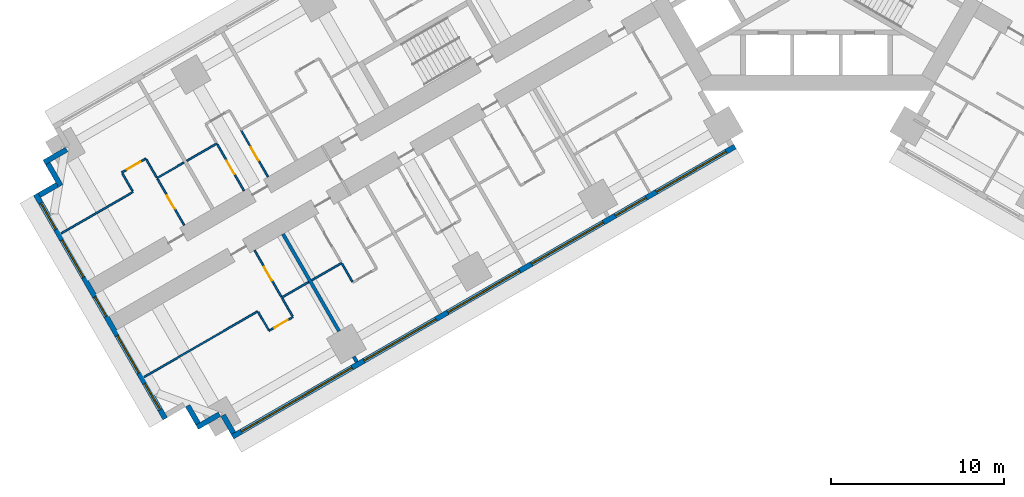
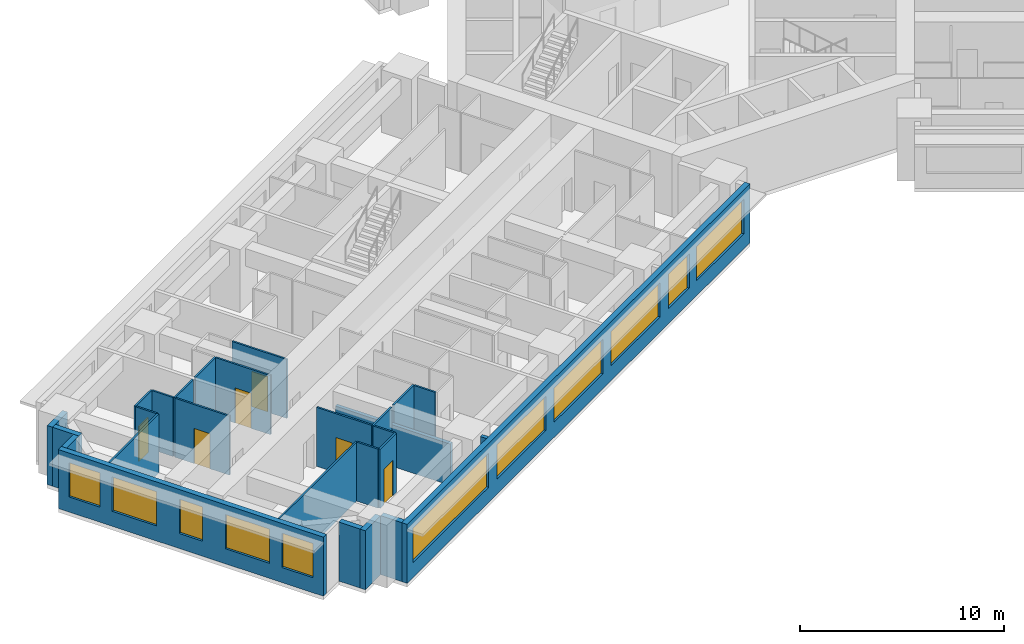
# One storey, part 3 of 16: 27 walls, 11 windows, 6 doors, 17 openings.
"""IFC4 building model written with IfcOpenShell, lengths in metres."""

import ifcopenshell
import ifcopenshell.guid

model = None  # the IFC model being written
_history = None  # IfcOwnerHistory: only IFC2X3 demands one
_inside = {}  # id of a spatial element -> (the spatial element, [elements in it])
_under = {}  # id of a project, library or spatial element -> (it, [spatial elements below it])
_declared = {}  # id of a project -> (the project, [libraries it declares])
_typed = {}  # id of a type object -> (the type object, [elements of that type])
_made_of = {}  # id of a material, layer set ... -> (it, [elements and type objects made of it])


def new_model(schema):
    """Start an empty IFC model of exactly this schema.

    Asked for "IFC4X3", IfcOpenShell would pick the latest addendum, in which some entities
    have other attributes; the version numbers below select the first issue.
    IFC2X3 requires an IfcOwnerHistory on every rooted entity: one is made here for all.
    """
    global model, _history
    if schema == "IFC4X3":
        model = ifcopenshell.file(schema_version=(4, 3, 0, 0))
    else:
        model = ifcopenshell.file(schema=schema)
    _inside.clear()
    _under.clear()
    _declared.clear()
    _typed.clear()
    _made_of.clear()
    _history = None
    if model.schema == "IFC2X3":
        org = make("IfcOrganization", Name="unknown")
        user = make(
            "IfcPersonAndOrganization",
            ThePerson=make("IfcPerson", FamilyName="unknown"),
            TheOrganization=org,
        )
        app = make(
            "IfcApplication",
            ApplicationDeveloper=org,
            Version="unknown",
            ApplicationFullName="unknown",
            ApplicationIdentifier="unknown",
        )
        _history = make(
            "IfcOwnerHistory",
            OwningUser=user,
            OwningApplication=app,
            ChangeAction="ADDED",
            CreationDate=0,
        )
    return model


def make(cls, **values):
    """One entity of the class cls with the attributes given. An attribute that is None is left unset."""
    return model.create_entity(
        cls, **{name: value for name, value in values.items() if value is not None}
    )


def rooted(cls, **values):
    """An entity with a GlobalId (a new one), such as an element, a storey or a relation."""
    return make(cls, GlobalId=ifcopenshell.guid.new(), OwnerHistory=_history, **values)


def si_unit(unit_type, name, prefix=None):
    """IfcSIUnit, for example si_unit("LENGTHUNIT", "METRE", prefix="MILLI")."""
    return make("IfcSIUnit", UnitType=unit_type, Prefix=prefix, Name=name)


def assignment(units):
    """IfcUnitAssignment: the units of a project."""
    return None if units is None else make("IfcUnitAssignment", Units=units)


def point(xyz):
    """IfcCartesianPoint."""
    return None if xyz is None else make("IfcCartesianPoint", Coordinates=xyz)


def direction(xyz):
    """IfcDirection."""
    return None if xyz is None else make("IfcDirection", DirectionRatios=xyz)


def frame(location, z_axis=None, x_axis=None):
    """IfcAxis2Placement3D, a coordinate frame: its origin and axes. An axis left out is left unset."""
    return make(
        "IfcAxis2Placement3D",
        Location=point(location),
        Axis=direction(z_axis),
        RefDirection=direction(x_axis),
    )


def frame_2d(location, x_axis=None):
    """IfcAxis2Placement2D, a coordinate frame in the plane: its origin and x axis."""
    return make(
        "IfcAxis2Placement2D", Location=point(location), RefDirection=direction(x_axis)
    )


def origin():
    """The frame at (0, 0, 0) with its axes left unset."""
    return frame((0.0, 0.0, 0.0))


def place(relative_to, where):
    """IfcLocalPlacement: puts the frame where relative to a parent placement (None: the world)."""
    return make(
        "IfcLocalPlacement", PlacementRelTo=relative_to, RelativePlacement=where
    )


def context(
    kind, dimensions, precision=None, world=None, true_north=None, identifier=None
):
    """IfcGeometricRepresentationContext, for example the 3D "Model" context."""
    return make(
        "IfcGeometricRepresentationContext",
        ContextIdentifier=identifier,
        ContextType=kind,
        CoordinateSpaceDimension=dimensions,
        Precision=precision,
        WorldCoordinateSystem=world,
        TrueNorth=true_north,
    )


def subcontext(parent, identifier, kind, view, scale=None):
    """IfcGeometricRepresentationSubContext, for example "Body" below "Model"."""
    return make(
        "IfcGeometricRepresentationSubContext",
        ContextIdentifier=identifier,
        ContextType=kind,
        ParentContext=parent,
        TargetScale=scale,
        TargetView=view,
    )


def project(units=None, contexts=None):
    """IfcProject with its units and contexts."""
    return rooted(
        "IfcProject",
        Name="project",
        RepresentationContexts=contexts,
        UnitsInContext=assignment(units),
    )


def spatial(cls, under=None, at=None, **own):
    """A site, building, storey or space (cls), placed at a placement, below another one or the project."""
    s = rooted(cls, ObjectPlacement=at, **own)
    if under is not None:
        _under.setdefault(under.id(), (under, []))[1].append(s)
    return s


def profile(cls, at=None, kind="AREA", **sizes):
    """A parametric profile (cls). Its sizes go by their IFC names, for example OverallWidth=200.0."""
    return make(cls, ProfileType=kind, Position=at, **sizes)


def rectangle(**sizes):
    """IfcRectangleProfileDef."""
    return profile("IfcRectangleProfileDef", **sizes)


def extrude(swept, where, along, depth):
    """IfcExtrudedAreaSolid: the profile swept, set in the frame where, extruded along a direction by depth."""
    return make(
        "IfcExtrudedAreaSolid",
        SweptArea=swept,
        Position=where,
        ExtrudedDirection=direction(along),
        Depth=depth,
    )


def shape(context_of_items, identifier, shape_type, items):
    """IfcShapeRepresentation: the items that make up one representation, for example the "Body"."""
    return make(
        "IfcShapeRepresentation",
        ContextOfItems=context_of_items,
        RepresentationIdentifier=identifier,
        RepresentationType=shape_type,
        Items=items,
    )


def material(Name=None, Category=None):
    """IfcMaterial."""
    return make("IfcMaterial", Name=Name, Category=Category)


def layer(
    of_material, thickness, ventilated=None, Name=None, Category=None, Priority=None
):
    """IfcMaterialLayer: one layer of a wall or slab, of a material (None: an air gap)."""
    return make(
        "IfcMaterialLayer",
        Material=of_material,
        LayerThickness=thickness,
        IsVentilated=ventilated,
        Name=Name,
        Category=Category,
        Priority=Priority,
    )


def layer_set(layers, Name=None):
    """IfcMaterialLayerSet."""
    return make("IfcMaterialLayerSet", MaterialLayers=layers, LayerSetName=Name)


def made_of(thing, what):
    """Note that an element or type object is made of a material, layer set ...; save() writes the relation."""
    if what is not None:
        _made_of.setdefault(what.id(), (what, []))[1].append(thing)
    return thing


def type_object(cls, material=None, **own):
    """A type object (cls), such as IfcWallType, which elements share."""
    return made_of(rooted(cls, **own), material)


def element(
    cls,
    number,
    at=None,
    inside=None,
    cuts=None,
    type_object=None,
    material=None,
    context=None,
    identifier="Body",
    shape_type=None,
    held_by="IfcProductDefinitionShape",
    body=None,
    shapes=None,
    **own,
):
    """One element of the class cls, such as IfcWall. Its Tag is "e" and its number.

    at: its placement. inside: the storey or other place that contains it. cuts: it is an
    opening in that element (IfcRelVoidsElement). A single representation is given by context,
    identifier, shape_type and body (its items); several are given by shapes. held_by: the class
    of the entity that holds the representations. save() writes the other relations.
    """
    e = rooted(cls, Tag="e%d" % number, ObjectPlacement=at, **own)
    if body is not None:
        shapes = [shape(context, identifier, shape_type, body)]
    if shapes is not None:
        e.Representation = make(held_by, Representations=shapes)
    if inside is not None:
        _inside.setdefault(inside.id(), (inside, []))[1].append(e)
    if cuts is not None:
        rooted(
            "IfcRelVoidsElement", RelatingBuildingElement=cuts, RelatedOpeningElement=e
        )
    if type_object is not None:
        _typed.setdefault(type_object.id(), (type_object, []))[1].append(e)
    return made_of(e, material)


def fill(opening, filler):
    """IfcRelFillsElement: the door or window that sits in an opening."""
    return rooted(
        "IfcRelFillsElement",
        RelatingOpeningElement=opening,
        RelatedBuildingElement=filler,
    )


def aggregate(whole, parts):
    """IfcRelAggregates: a whole, such as a stair, and the parts it consists of."""
    return rooted("IfcRelAggregates", RelatingObject=whole, RelatedObjects=parts)


def save(model, path):
    """Write the relations noted so far, then the file.

    IfcRelAggregates (storeys below a building ...), IfcRelContainedInSpatialStructure (elements
    in a storey), IfcRelDefinesByType, IfcRelAssociatesMaterial and IfcRelDeclares: one each for
    every whole, place, type object, material and project.
    """
    for whole, parts in _under.values():
        aggregate(whole, parts)
    for where, things in _inside.values():
        rooted(
            "IfcRelContainedInSpatialStructure",
            RelatedElements=things,
            RelatingStructure=where,
        )
    for kind, things in _typed.values():
        rooted("IfcRelDefinesByType", RelatedObjects=things, RelatingType=kind)
    for what, things in _made_of.values():
        rooted("IfcRelAssociatesMaterial", RelatedObjects=things, RelatingMaterial=what)
    for by, libraries in _declared.values():
        rooted("IfcRelDeclares", RelatingContext=by, RelatedDefinitions=libraries)
    model.write(path)


model = new_model("IFC4")

# Units and contexts
model_context = context("Model", 3, precision=1e-05, world=origin(), true_north=direction((0.0, 1.0)))
body_context = subcontext(model_context, "Body", "Model", "MODEL_VIEW")
ifc_project = project(units=[si_unit("LENGTHUNIT", "METRE"), si_unit("AREAUNIT", "SQUARE_METRE"), si_unit("VOLUMEUNIT", "CUBIC_METRE"), si_unit("PLANEANGLEUNIT", "RADIAN"), si_unit("MASSUNIT", "GRAM", prefix="KILO")], contexts=[model_context])

# Site, building, storey
site_placement = place(None, origin())
site = spatial("IfcSite", under=ifc_project, at=site_placement, CompositionType="ELEMENT")
building_placement = place(site_placement, origin())
building = spatial("IfcBuilding", under=site, at=building_placement, Name="Impinga Residences", CompositionType="ELEMENT")
storey_placement = place(building_placement, frame((0.0, 0.0, 44.75)))
storey = spatial("IfcBuildingStorey", under=building, at=storey_placement, Name="L10", CompositionType="ELEMENT", Elevation=44.75)

# Walls
ifc_material_1 = material(Name="Terracotta rainscreen on blockwork", Category="masonry")
ifc_layer_1 = layer(ifc_material_1, 0.300048828125)
ifc_layer_set_1 = layer_set([ifc_layer_1], Name="EW1 external wall, terracotta rainscreen on blockwork 300")
wall_type_1 = type_object("IfcWallType", Name="EW1 external wall, terracotta rainscreen on blockwork 300", PredefinedType="SOLIDWALL", material=ifc_layer_set_1)
wall_1_placement = place(storey_placement, frame((-33.7685546875, -31.274169921875, 0.0), z_axis=(0.0, 0.0, 1.0), x_axis=(-0.499940577336, 0.866059708757, 0.0)))
element("IfcWall", 1, at=wall_1_placement, inside=storey, type_object=wall_type_1, Name="External wall EW1 L10", PredefinedType="SOLIDWALL", context=body_context, shape_type="SweptSolid", body=[
    extrude(rectangle(XDim=1.195068359375, YDim=0.300048828125, at=frame_2d((0.59765625, 0.0))), origin(), (0.0, 0.0, 1.0), 3.530029296875),
])
wall_2_placement = place(storey_placement, frame((-34.573486328125, -30.18017578125, 0.0), z_axis=(0.0, 0.0, 1.0), x_axis=(-0.866031096941, -0.499990139034, 0.0)))
element("IfcWall", 2, at=wall_2_placement, inside=storey, type_object=wall_type_1, Name="External wall EW1 L10", PredefinedType="SOLIDWALL", context=body_context, shape_type="SweptSolid", body=[
    extrude(rectangle(XDim=1.5, YDim=0.300048828125, at=frame_2d((0.75, 0.0))), origin(), (0.0, 0.0, 1.0), 3.530029296875),
])
wall_3_placement = place(storey_placement, frame((-35.817626953125, -30.72509765625, 0.0), z_axis=(0.0, 0.0, 1.0), x_axis=(-0.499969057507, 0.866043267704, 0.0)))
element("IfcWall", 3, at=wall_3_placement, inside=storey, type_object=wall_type_1, Name="External wall EW1 L10", PredefinedType="SOLIDWALL", context=body_context, shape_type="SweptSolid", body=[
    extrude(rectangle(XDim=1.19970703125, YDim=0.300048828125, at=frame_2d((0.599853515625, 0.0))), origin(), (0.0, 0.0, 1.0), 3.530029296875),
])

# Wall, openings, windows
wall_4_placement = place(storey_placement, frame((-37.716552734375, -30.43603515625, 0.0), z_axis=(0.0, 0.0, 1.0), x_axis=(-0.499997186618, 0.866027028085, 0.0)))
wall_4 = element("IfcWall", 4, at=wall_4_placement, inside=storey, type_object=wall_type_1, Name="External wall EW1 L10", PredefinedType="SOLIDWALL", context=body_context, shape_type="SweptSolid", body=[
    extrude(rectangle(XDim=15.0, YDim=0.300048828125, at=frame_2d((7.5, 0.0))), origin(), (0.0, 0.0, 1.0), 3.530029296875),
])
opening_1_placement = place(wall_4_placement, frame((0.60009765625, 0.0, 0.89990234375)))
opening_1 = element("IfcOpeningElement", 5, at=opening_1_placement, cuts=wall_4, Name="Opening W1", PredefinedType="OPENING", context=body_context, shape_type="SweptSolid", body=[
    extrude(rectangle(XDim=1.75, YDim=2.050048828125, at=frame_2d((0.875, 1.02490234375))), frame((0.0, 0.159912109375, 0.0), z_axis=(0.0, -1.0, 0.0), x_axis=(1.0, 0.0, 0.0)), (0.0, 0.0, 1.0), 0.320068359375),
])
opening_2_placement = place(wall_4_placement, frame((3.050048828125, 0.0, 0.89990234375)))
opening_2 = element("IfcOpeningElement", 6, at=opening_2_placement, cuts=wall_4, Name="Opening W2", PredefinedType="OPENING", context=body_context, shape_type="SweptSolid", body=[
    extrude(rectangle(XDim=2.5, YDim=2.050048828125, at=frame_2d((1.25, 1.02490234375))), frame((0.0, 0.159912109375, 0.0), z_axis=(0.0, -1.0, 0.0), x_axis=(1.0, 0.0, 0.0)), (0.0, 0.0, 1.0), 0.320068359375),
])
opening_3_placement = place(wall_4_placement, frame((6.85009765625, 0.0, 0.89990234375)))
opening_3 = element("IfcOpeningElement", 7, at=opening_3_placement, cuts=wall_4, Name="Opening WE1", PredefinedType="OPENING", context=body_context, shape_type="SweptSolid", body=[
    extrude(rectangle(XDim=1.300048828125, YDim=2.050048828125, at=frame_2d((0.64990234375, 1.02490234375))), frame((0.0, 0.159912109375, 0.0), z_axis=(0.0, -1.0, 0.0), x_axis=(1.0, 0.0, 0.0)), (0.0, 0.0, 1.0), 0.320068359375),
])
opening_4_placement = place(wall_4_placement, frame((9.449951171875, 0.0, 0.89990234375)))
opening_4 = element("IfcOpeningElement", 8, at=opening_4_placement, cuts=wall_4, Name="Opening W2", PredefinedType="OPENING", context=body_context, shape_type="SweptSolid", body=[
    extrude(rectangle(XDim=2.5, YDim=2.050048828125, at=frame_2d((1.25, 1.02490234375))), frame((0.0, 0.159912109375, 0.0), z_axis=(0.0, -1.0, 0.0), x_axis=(1.0, 0.0, 0.0)), (0.0, 0.0, 1.0), 0.320068359375),
])
opening_5_placement = place(wall_4_placement, frame((12.64990234375, 0.0, 0.89990234375)))
opening_5 = element("IfcOpeningElement", 9, at=opening_5_placement, cuts=wall_4, Name="Opening W1", PredefinedType="OPENING", context=body_context, shape_type="SweptSolid", body=[
    extrude(rectangle(XDim=1.75, YDim=2.050048828125, at=frame_2d((0.875, 1.02490234375))), frame((0.0, 0.159912109375, 0.0), z_axis=(0.0, -1.0, 0.0), x_axis=(1.0, 0.0, 0.0)), (0.0, 0.0, 1.0), 0.320068359375),
])
ifc_material_2 = material(Name="Aluminium window, clear double glazing", Category="aluminium")
window_type_1 = type_object("IfcWindowType", Name="W1 ribbon window 1750x2050", PartitioningType="SINGLE_PANEL", PredefinedType="WINDOW", material=ifc_material_2)
window_1_placement = place(opening_1_placement, origin())
window_1 = element("IfcWindow", 10, at=window_1_placement, inside=storey, type_object=window_type_1, Name="Window L10", OverallHeight=2.050048828125, OverallWidth=1.75, PartitioningType="SINGLE_PANEL", PredefinedType="WINDOW", context=body_context, shape_type="SweptSolid", body=[
    extrude(rectangle(XDim=1.75, YDim=2.050048828125, at=frame_2d((0.875, 1.02490234375))), frame((0.0, 0.030029296875, 0.0), z_axis=(0.0, -1.0, 0.0), x_axis=(1.0, 0.0, 0.0)), (0.0, 0.0, 1.0), 0.06005859375),
])
fill(opening_1, window_1)
window_2_placement = place(opening_5_placement, origin())
window_2 = element("IfcWindow", 11, at=window_2_placement, inside=storey, type_object=window_type_1, Name="Window L10", OverallHeight=2.050048828125, OverallWidth=1.75, PartitioningType="SINGLE_PANEL", PredefinedType="WINDOW", context=body_context, shape_type="SweptSolid", body=[
    extrude(rectangle(XDim=1.75, YDim=2.050048828125, at=frame_2d((0.875, 1.02490234375))), frame((0.0, 0.030029296875, 0.0), z_axis=(0.0, -1.0, 0.0), x_axis=(1.0, 0.0, 0.0)), (0.0, 0.0, 1.0), 0.06005859375),
])
fill(opening_5, window_2)
window_type_2 = type_object("IfcWindowType", Name="W2 ribbon window 2500x2050", PartitioningType="SINGLE_PANEL", PredefinedType="WINDOW", material=ifc_material_2)
window_3_placement = place(opening_2_placement, origin())
window_3 = element("IfcWindow", 12, at=window_3_placement, inside=storey, type_object=window_type_2, Name="Window L10", OverallHeight=2.050048828125, OverallWidth=2.5, PartitioningType="SINGLE_PANEL", PredefinedType="WINDOW", context=body_context, shape_type="SweptSolid", body=[
    extrude(rectangle(XDim=2.5, YDim=2.050048828125, at=frame_2d((1.25, 1.02490234375))), frame((0.0, 0.030029296875, 0.0), z_axis=(0.0, -1.0, 0.0), x_axis=(1.0, 0.0, 0.0)), (0.0, 0.0, 1.0), 0.06005859375),
])
fill(opening_2, window_3)
window_4_placement = place(opening_4_placement, origin())
window_4 = element("IfcWindow", 13, at=window_4_placement, inside=storey, type_object=window_type_2, Name="Window L10", OverallHeight=2.050048828125, OverallWidth=2.5, PartitioningType="SINGLE_PANEL", PredefinedType="WINDOW", context=body_context, shape_type="SweptSolid", body=[
    extrude(rectangle(XDim=2.5, YDim=2.050048828125, at=frame_2d((1.25, 1.02490234375))), frame((0.0, 0.030029296875, 0.0), z_axis=(0.0, -1.0, 0.0), x_axis=(1.0, 0.0, 0.0)), (0.0, 0.0, 1.0), 0.06005859375),
])
fill(opening_4, window_4)
window_type_3 = type_object("IfcWindowType", Name="WE1 corridor window 1300x2050", PartitioningType="SINGLE_PANEL", PredefinedType="WINDOW", material=ifc_material_2)
window_5_placement = place(opening_3_placement, origin())
window_5 = element("IfcWindow", 14, at=window_5_placement, inside=storey, type_object=window_type_3, Name="Window L10", OverallHeight=2.050048828125, OverallWidth=1.300048828125, PartitioningType="SINGLE_PANEL", PredefinedType="WINDOW", context=body_context, shape_type="SweptSolid", body=[
    extrude(rectangle(XDim=1.300048828125, YDim=2.050048828125, at=frame_2d((0.64990234375, 1.02490234375))), frame((0.0, 0.030029296875, 0.0), z_axis=(0.0, -1.0, 0.0), x_axis=(1.0, 0.0, 0.0)), (0.0, 0.0, 1.0), 0.06005859375),
])
fill(opening_3, window_5)

# Walls
wall_5_placement = place(storey_placement, frame((-45.01171875, -17.50048828125, 0.0), z_axis=(0.0, 0.0, 1.0), x_axis=(0.866059708757, 0.499940577336, 0.0)))
element("IfcWall", 15, at=wall_5_placement, inside=storey, type_object=wall_type_1, Name="External wall EW1 L10", PredefinedType="SOLIDWALL", context=body_context, shape_type="SweptSolid", body=[
    extrude(rectangle(XDim=1.195068359375, YDim=0.300048828125, at=frame_2d((0.59765625, 0.0))), origin(), (0.0, 0.0, 1.0), 3.530029296875),
])
for number, where, z_axis, x_axis, name in (
    (16, (-43.767578125, -16.955322265625, 0.0), (0.0, 0.0, 1.0), (-0.499990139034, 0.866031096941, 0.0), "External wall EW1 L10"),
    (17, (-44.722412109375, -15.6015625, 0.0), (0.0, 0.0, 1.0), (0.866031096941, 0.499990139034, 0.0), "External wall EW1 L10"),
):
    element("IfcWall", number, at=place(storey_placement, frame(where, z_axis=z_axis, x_axis=x_axis)), inside=storey, type_object=wall_type_1, Name=name, PredefinedType="SOLIDWALL", context=body_context, shape_type="SweptSolid", body=[
        extrude(rectangle(XDim=1.5, YDim=0.300048828125, at=frame_2d((0.75, 0.0))), origin(), (0.0, 0.0, 1.0), 3.530029296875),
    ])

# Wall, openings, windows
wall_6_placement = place(storey_placement, frame((-4.72509765625, -14.67919921875, 0.0), z_axis=(0.0, 0.0, 1.0), x_axis=(-0.866024291668, -0.500001926238, 0.0)))
wall_6 = element("IfcWall", 18, at=wall_6_placement, inside=storey, type_object=wall_type_1, Name="External wall EW1 L10", PredefinedType="SOLIDWALL", context=body_context, shape_type="SweptSolid", body=[
    extrude(rectangle(XDim=33.599853515625, YDim=0.300048828125, at=frame_2d((16.7998046875, 0.0))), origin(), (0.0, 0.0, 1.0), 3.530029296875),
])
opening_6_placement = place(wall_6_placement, frame((0.60009765625, 0.0, 0.89990234375)))
opening_6 = element("IfcOpeningElement", 19, at=opening_6_placement, cuts=wall_6, Name="Opening W10", PredefinedType="OPENING", context=body_context, shape_type="SweptSolid", body=[
    extrude(rectangle(XDim=4.64990234375, YDim=2.050048828125, at=frame_2d((2.324951171875, 1.02490234375))), frame((0.0, 0.159912109375, 0.0), z_axis=(0.0, -1.0, 0.0), x_axis=(1.0, 0.0, 0.0)), (0.0, 0.0, 1.0), 0.320068359375),
])
opening_7_placement = place(wall_6_placement, frame((5.949951171875, 0.0, 0.89990234375)))
opening_7 = element("IfcOpeningElement", 20, at=opening_7_placement, cuts=wall_6, Name="Opening W14", PredefinedType="OPENING", context=body_context, shape_type="SweptSolid", body=[
    extrude(rectangle(XDim=2.050048828125, YDim=2.050048828125, at=frame_2d((1.02490234375, 1.02490234375))), frame((0.0, 0.159912109375, 0.0), z_axis=(0.0, -1.0, 0.0), x_axis=(1.0, 0.0, 0.0)), (0.0, 0.0, 1.0), 0.320068359375),
])
opening_8_placement = place(wall_6_placement, frame((8.800048828125, 0.0, 0.89990234375)))
opening_8 = element("IfcOpeningElement", 21, at=opening_8_placement, cuts=wall_6, Name="Opening W8", PredefinedType="OPENING", context=body_context, shape_type="SweptSolid", body=[
    extrude(rectangle(XDim=4.800048828125, YDim=2.050048828125, at=frame_2d((2.39990234375, 1.02490234375))), frame((0.0, 0.159912109375, 0.0), z_axis=(0.0, -1.0, 0.0), x_axis=(1.0, 0.0, 0.0)), (0.0, 0.0, 1.0), 0.320068359375),
])
opening_9_placement = place(wall_6_placement, frame((14.39990234375, 0.0, 0.89990234375)))
opening_9 = element("IfcOpeningElement", 22, at=opening_9_placement, cuts=wall_6, Name="Opening W8", PredefinedType="OPENING", context=body_context, shape_type="SweptSolid", body=[
    extrude(rectangle(XDim=4.800048828125, YDim=2.050048828125, at=frame_2d((2.39990234375, 1.02490234375))), frame((0.0, 0.159912109375, 0.0), z_axis=(0.0, -1.0, 0.0), x_axis=(1.0, 0.0, 0.0)), (0.0, 0.0, 1.0), 0.320068359375),
])
opening_10_placement = place(wall_6_placement, frame((20.0, 0.0, 0.89990234375)))
opening_10 = element("IfcOpeningElement", 23, at=opening_10_placement, cuts=wall_6, Name="Opening W8", PredefinedType="OPENING", context=body_context, shape_type="SweptSolid", body=[
    extrude(rectangle(XDim=4.800048828125, YDim=2.050048828125, at=frame_2d((2.39990234375, 1.02490234375))), frame((0.0, 0.159912109375, 0.0), z_axis=(0.0, -1.0, 0.0), x_axis=(1.0, 0.0, 0.0)), (0.0, 0.0, 1.0), 0.320068359375),
])
opening_11_placement = place(wall_6_placement, frame((25.60009765625, 0.0, 0.89990234375)))
opening_11 = element("IfcOpeningElement", 24, at=opening_11_placement, cuts=wall_6, Name="Opening W12", PredefinedType="OPENING", context=body_context, shape_type="SweptSolid", body=[
    extrude(rectangle(XDim=7.39990234375, YDim=2.050048828125, at=frame_2d((3.699951171875, 1.02490234375))), frame((0.0, 0.159912109375, 0.0), z_axis=(0.0, -1.0, 0.0), x_axis=(1.0, 0.0, 0.0)), (0.0, 0.0, 1.0), 0.320068359375),
])
window_type_4 = type_object("IfcWindowType", Name="W10 ribbon window 4650x2050", PartitioningType="SINGLE_PANEL", PredefinedType="WINDOW", material=ifc_material_2)
window_6_placement = place(opening_6_placement, origin())
window_6 = element("IfcWindow", 25, at=window_6_placement, inside=storey, type_object=window_type_4, Name="Window L10", OverallHeight=2.050048828125, OverallWidth=4.64990234375, PartitioningType="SINGLE_PANEL", PredefinedType="WINDOW", context=body_context, shape_type="SweptSolid", body=[
    extrude(rectangle(XDim=4.64990234375, YDim=2.050048828125, at=frame_2d((2.324951171875, 1.02490234375))), frame((0.0, 0.030029296875, 0.0), z_axis=(0.0, -1.0, 0.0), x_axis=(1.0, 0.0, 0.0)), (0.0, 0.0, 1.0), 0.06005859375),
])
fill(opening_6, window_6)
window_type_5 = type_object("IfcWindowType", Name="W12 ribbon window 7400x2050", PartitioningType="SINGLE_PANEL", PredefinedType="WINDOW", material=ifc_material_2)
window_7_placement = place(opening_11_placement, origin())
window_7 = element("IfcWindow", 26, at=window_7_placement, inside=storey, type_object=window_type_5, Name="Window L10", OverallHeight=2.050048828125, OverallWidth=7.39990234375, PartitioningType="SINGLE_PANEL", PredefinedType="WINDOW", context=body_context, shape_type="SweptSolid", body=[
    extrude(rectangle(XDim=7.39990234375, YDim=2.050048828125, at=frame_2d((3.699951171875, 1.02490234375))), frame((0.0, 0.030029296875, 0.0), z_axis=(0.0, -1.0, 0.0), x_axis=(1.0, 0.0, 0.0)), (0.0, 0.0, 1.0), 0.06005859375),
])
fill(opening_11, window_7)
window_type_6 = type_object("IfcWindowType", Name="W14 ribbon window 2050x2050", PartitioningType="SINGLE_PANEL", PredefinedType="WINDOW", material=ifc_material_2)
window_8_placement = place(opening_7_placement, origin())
window_8 = element("IfcWindow", 27, at=window_8_placement, inside=storey, type_object=window_type_6, Name="Window L10", OverallHeight=2.050048828125, OverallWidth=2.050048828125, PartitioningType="SINGLE_PANEL", PredefinedType="WINDOW", context=body_context, shape_type="SweptSolid", body=[
    extrude(rectangle(XDim=2.050048828125, YDim=2.050048828125, at=frame_2d((1.02490234375, 1.02490234375))), frame((0.0, 0.030029296875, 0.0), z_axis=(0.0, -1.0, 0.0), x_axis=(1.0, 0.0, 0.0)), (0.0, 0.0, 1.0), 0.06005859375),
])
fill(opening_7, window_8)
window_type_7 = type_object("IfcWindowType", Name="W8 ribbon window 4800x2050", PartitioningType="SINGLE_PANEL", PredefinedType="WINDOW", material=ifc_material_2)
window_9_placement = place(opening_8_placement, origin())
window_9 = element("IfcWindow", 28, at=window_9_placement, inside=storey, type_object=window_type_7, Name="Window L10", OverallHeight=2.050048828125, OverallWidth=4.800048828125, PartitioningType="SINGLE_PANEL", PredefinedType="WINDOW", context=body_context, shape_type="SweptSolid", body=[
    extrude(rectangle(XDim=4.800048828125, YDim=2.050048828125, at=frame_2d((2.39990234375, 1.02490234375))), frame((0.0, 0.030029296875, 0.0), z_axis=(0.0, -1.0, 0.0), x_axis=(1.0, 0.0, 0.0)), (0.0, 0.0, 1.0), 0.06005859375),
])
fill(opening_8, window_9)
window_10_placement = place(opening_9_placement, origin())
window_10 = element("IfcWindow", 29, at=window_10_placement, inside=storey, type_object=window_type_7, Name="Window L10", OverallHeight=2.050048828125, OverallWidth=4.800048828125, PartitioningType="SINGLE_PANEL", PredefinedType="WINDOW", context=body_context, shape_type="SweptSolid", body=[
    extrude(rectangle(XDim=4.800048828125, YDim=2.050048828125, at=frame_2d((2.39990234375, 1.02490234375))), frame((0.0, 0.030029296875, 0.0), z_axis=(0.0, -1.0, 0.0), x_axis=(1.0, 0.0, 0.0)), (0.0, 0.0, 1.0), 0.06005859375),
])
fill(opening_9, window_10)
window_11_placement = place(opening_10_placement, origin())
window_11 = element("IfcWindow", 30, at=window_11_placement, inside=storey, type_object=window_type_7, Name="Window L10", OverallHeight=2.050048828125, OverallWidth=4.800048828125, PartitioningType="SINGLE_PANEL", PredefinedType="WINDOW", context=body_context, shape_type="SweptSolid", body=[
    extrude(rectangle(XDim=4.800048828125, YDim=2.050048828125, at=frame_2d((2.39990234375, 1.02490234375))), frame((0.0, 0.030029296875, 0.0), z_axis=(0.0, -1.0, 0.0), x_axis=(1.0, 0.0, 0.0)), (0.0, 0.0, 1.0), 0.06005859375),
])
fill(opening_10, window_11)

# Walls
ifc_material_3 = material(Name="Gypsum board on steel studs", Category="steel")
ifc_layer_2 = layer(ifc_material_3, 0.10009765625)
ifc_layer_set_2 = layer_set([ifc_layer_2], Name="Gypsum board on steel studs")
wall_type_2 = type_object("IfcWallType", Name="IP1 partition 100", PredefinedType="PARTITIONING", material=ifc_layer_set_2)
wall_7_placement = place(storey_placement, frame((-27.505126953125, -21.422607421875, 0.0), z_axis=(0.0, 0.0, 1.0), x_axis=(-0.866041268327, -0.499972520799, 0.0)))
element("IfcWall", 31, at=wall_7_placement, inside=storey, type_object=wall_type_2, Name="Partition L10-WA4:DIV1", PredefinedType="PARTITIONING", context=body_context, shape_type="SweptSolid", body=[
    extrude(rectangle(XDim=2.0, YDim=0.10009765625, at=frame_2d((1.0, 0.0))), origin(), (0.0, 0.0, 1.0), 3.530029296875),
])
wall_8_placement = place(storey_placement, frame((-27.480224609375, -21.466064453125, 0.0), z_axis=(0.0, 0.0, 1.0), x_axis=(0.50012165622, -0.865955154139, 0.0)))
element("IfcWall", 32, at=wall_8_placement, inside=storey, type_object=wall_type_2, Name="Partition L10-WA4:SE1", PredefinedType="PARTITIONING", context=body_context, shape_type="SweptSolid", body=[
    extrude(rectangle(XDim=1.199951171875, YDim=0.10009765625, at=frame_2d((0.60009765625, 0.0))), origin(), (0.0, 0.0, 1.0), 3.530029296875),
])
wall_9_placement = place(storey_placement, frame((-29.410400390625, -22.522705078125, 0.0), z_axis=(0.0, 0.0, 1.0), x_axis=(-0.866047807691, -0.499961193289, 0.0)))
element("IfcWall", 33, at=wall_9_placement, inside=storey, type_object=wall_type_2, Name="Partition L10-WA5:DIV0", PredefinedType="PARTITIONING", context=body_context, shape_type="SweptSolid", body=[
    extrude(rectangle(XDim=1.800048828125, YDim=0.10009765625, at=frame_2d((0.89990234375, 0.0))), origin(), (0.0, 0.0, 1.0), 3.530029296875),
])
wall_10_placement = place(storey_placement, frame((-32.35498046875, -24.22265625, 0.0), z_axis=(0.0, 0.0, 1.0), x_axis=(-0.866022425744, -0.500005158081, 0.0)))
element("IfcWall", 34, at=wall_10_placement, inside=storey, type_object=wall_type_2, Name="Partition L10-WA5:DIV1", PredefinedType="PARTITIONING", context=body_context, shape_type="SweptSolid", body=[
    extrude(rectangle(XDim=7.60009765625, YDim=0.10009765625, at=frame_2d((3.800048828125, 0.0))), origin(), (0.0, 0.0, 1.0), 3.530029296875),
])

# Wall, opening, door
wall_11_placement = place(storey_placement, frame((-30.3193359375, -24.548583984375, 0.0), z_axis=(0.0, 0.0, 1.0), x_axis=(-0.865989903783, -0.500061482766, 0.0)))
wall_11 = element("IfcWall", 35, at=wall_11_placement, inside=storey, type_object=wall_type_2, Name="Partition L10-WA5:STRIP", PredefinedType="PARTITIONING", context=body_context, shape_type="SweptSolid", body=[
    extrude(rectangle(XDim=1.599853515625, YDim=0.10009765625, at=frame_2d((0.7998046875, 0.0))), origin(), (0.0, 0.0, 1.0), 3.530029296875),
])
opening_12_placement = place(wall_11_placement, frame((0.35009765625, 0.0, 0.0)))
opening_12 = element("IfcOpeningElement", 36, at=opening_12_placement, cuts=wall_11, Name="Opening D2", PredefinedType="OPENING", context=body_context, shape_type="SweptSolid", body=[
    extrude(rectangle(XDim=0.89990234375, YDim=2.10009765625, at=frame_2d((0.449951171875, 1.050048828125))), frame((0.0, 0.06005859375, 0.0), z_axis=(0.0, -1.0, 0.0), x_axis=(1.0, 0.0, 0.0)), (0.0, 0.0, 1.0), 0.1201171875),
])
ifc_material_4 = material(Name="Timber door set", Category="wood")
door_type = type_object("IfcDoorType", Name="D2 internal door 900x2100", OperationType="SINGLE_SWING_LEFT", PredefinedType="DOOR", material=ifc_material_4)
door_1_placement = place(opening_12_placement, origin())
door_1 = element("IfcDoor", 37, at=door_1_placement, inside=storey, type_object=door_type, Name="Apartment L10-WA5 room door", OperationType="SINGLE_SWING_LEFT", OverallHeight=2.10009765625, OverallWidth=0.89990234375, PredefinedType="DOOR", context=body_context, shape_type="SweptSolid", body=[
    extrude(rectangle(XDim=0.89990234375, YDim=2.10009765625, at=frame_2d((0.449951171875, 1.050048828125))), frame((0.0, 0.02490234375, 0.0), z_axis=(0.0, -1.0, 0.0), x_axis=(1.0, 0.0, 0.0)), (0.0, 0.0, 1.0), 0.050048828125),
])
fill(opening_12, door_1)

# Walls
for number, where, z_axis, x_axis, name in (
    (38, (-30.9443359375, -23.466064453125, 0.0), (0.0, 0.0, 1.0), (0.50012165622, -0.865955154139, 0.0), "Partition L10-WA5:SE0"),
    (39, (-32.329833984375, -24.265869140625, 0.0), (0.0, 0.0, 1.0), (0.499880961361, -0.866094119867, 0.0), "Partition L10-WA5:SE1"),
):
    element("IfcWall", number, at=place(storey_placement, frame(where, z_axis=z_axis, x_axis=x_axis)), inside=storey, type_object=wall_type_2, Name=name, PredefinedType="PARTITIONING", context=body_context, shape_type="SweptSolid", body=[
        extrude(rectangle(XDim=1.199951171875, YDim=0.10009765625, at=frame_2d((0.60009765625, 0.0))), origin(), (0.0, 0.0, 1.0), 3.530029296875),
    ])

# Wall, opening, door
wall_12_placement = place(storey_placement, frame((-32.544189453125, -20.69482421875, 0.0), z_axis=(0.0, 0.0, 1.0), x_axis=(0.499967891604, -0.866043940782, 0.0)))
wall_12 = element("IfcWall", 40, at=wall_12_placement, inside=storey, type_object=wall_type_2, Name="Partition L10-WA5:IB1", PredefinedType="PARTITIONING", context=body_context, shape_type="SweptSolid", body=[
    extrude(rectangle(XDim=3.099853515625, YDim=0.10009765625, at=frame_2d((1.5498046875, 0.0))), origin(), (0.0, 0.0, 1.0), 3.530029296875),
])
opening_13_placement = place(wall_12_placement, frame((1.10009765625, 0.0, 0.0)))
opening_13 = element("IfcOpeningElement", 41, at=opening_13_placement, cuts=wall_12, Name="Opening D2", PredefinedType="OPENING", context=body_context, shape_type="SweptSolid", body=[
    extrude(rectangle(XDim=0.89990234375, YDim=2.10009765625, at=frame_2d((0.449951171875, 1.050048828125))), frame((0.0, 0.06005859375, 0.0), z_axis=(0.0, -1.0, 0.0), x_axis=(1.0, 0.0, 0.0)), (0.0, 0.0, 1.0), 0.1201171875),
])
door_2_placement = place(opening_13_placement, origin())
door_2 = element("IfcDoor", 42, at=door_2_placement, inside=storey, type_object=door_type, Name="Apartment L10-WA5 bathroom door", OperationType="SINGLE_SWING_LEFT", OverallHeight=2.10009765625, OverallWidth=0.89990234375, PredefinedType="DOOR", context=body_context, shape_type="SweptSolid", body=[
    extrude(rectangle(XDim=0.89990234375, YDim=2.10009765625, at=frame_2d((0.449951171875, 1.050048828125))), frame((0.0, 0.02490234375, 0.0), z_axis=(0.0, -1.0, 0.0), x_axis=(1.0, 0.0, 0.0)), (0.0, 0.0, 1.0), 0.050048828125),
])
fill(opening_13, door_2)

# Wall
wall_13_placement = place(storey_placement, frame((-34.72998046875, -14.5087890625, 0.0), z_axis=(0.0, 0.0, 1.0), x_axis=(-0.866041268327, -0.499972520799, 0.0)))
element("IfcWall", 43, at=wall_13_placement, inside=storey, type_object=wall_type_2, Name="Partition L10-WF3:DIV1", PredefinedType="PARTITIONING", context=body_context, shape_type="SweptSolid", body=[
    extrude(rectangle(XDim=2.0, YDim=0.10009765625, at=frame_2d((1.0, 0.0))), origin(), (0.0, 0.0, 1.0), 3.530029296875),
])

# Wall, opening, door
wall_14_placement = place(storey_placement, frame((-31.76953125, -16.436767578125, 0.0), z_axis=(0.0, 0.0, 1.0), x_axis=(-0.499967891604, 0.866043940782, 0.0)))
wall_14 = element("IfcWall", 44, at=wall_14_placement, inside=storey, type_object=wall_type_2, Name="Partition L10-WF3:IB1", PredefinedType="PARTITIONING", context=body_context, shape_type="SweptSolid", body=[
    extrude(rectangle(XDim=3.099853515625, YDim=0.10009765625, at=frame_2d((1.5498046875, 0.0))), origin(), (0.0, 0.0, 1.0), 3.530029296875),
])
opening_14_placement = place(wall_14_placement, frame((1.10009765625, 0.0, 0.0)))
opening_14 = element("IfcOpeningElement", 45, at=opening_14_placement, cuts=wall_14, Name="Opening D2", PredefinedType="OPENING", context=body_context, shape_type="SweptSolid", body=[
    extrude(rectangle(XDim=0.89990234375, YDim=2.10009765625, at=frame_2d((0.449951171875, 1.050048828125))), frame((0.0, 0.06005859375, 0.0), z_axis=(0.0, -1.0, 0.0), x_axis=(1.0, 0.0, 0.0)), (0.0, 0.0, 1.0), 0.1201171875),
])
door_3_placement = place(opening_14_placement, origin())
door_3 = element("IfcDoor", 46, at=door_3_placement, inside=storey, type_object=door_type, Name="Apartment L10-WF3 bathroom door", OperationType="SINGLE_SWING_LEFT", OverallHeight=2.10009765625, OverallWidth=0.89990234375, PredefinedType="DOOR", context=body_context, shape_type="SweptSolid", body=[
    extrude(rectangle(XDim=0.89990234375, YDim=2.10009765625, at=frame_2d((0.449951171875, 1.050048828125))), frame((0.0, 0.02490234375, 0.0), z_axis=(0.0, -1.0, 0.0), x_axis=(1.0, 0.0, 0.0)), (0.0, 0.0, 1.0), 0.050048828125),
])
fill(opening_14, door_3)

wall_15_placement = place(storey_placement, frame((-33.155029296875, -17.23681640625, 0.0), z_axis=(0.0, 0.0, 1.0), x_axis=(-0.500026960575, 0.86600983753, 0.0)))
wall_15 = element("IfcWall", 47, at=wall_15_placement, inside=storey, type_object=wall_type_2, Name="Partition L10-WF3:IB2", PredefinedType="PARTITIONING", context=body_context, shape_type="SweptSolid", body=[
    extrude(rectangle(XDim=3.099853515625, YDim=0.10009765625, at=frame_2d((1.5498046875, 0.0))), origin(), (0.0, 0.0, 1.0), 3.530029296875),
])
opening_15_placement = place(wall_15_placement, frame((1.10009765625, 0.0, 0.0)))
opening_15 = element("IfcOpeningElement", 48, at=opening_15_placement, cuts=wall_15, Name="Opening D2", PredefinedType="OPENING", context=body_context, shape_type="SweptSolid", body=[
    extrude(rectangle(XDim=0.89990234375, YDim=2.10009765625, at=frame_2d((0.449951171875, 1.050048828125))), frame((0.0, 0.06005859375, 0.0), z_axis=(0.0, -1.0, 0.0), x_axis=(1.0, 0.0, 0.0)), (0.0, 0.0, 1.0), 0.1201171875),
])
door_4_placement = place(opening_15_placement, origin())
door_4 = element("IfcDoor", 49, at=door_4_placement, inside=storey, type_object=door_type, Name="Apartment L10-WF3 WC door", OperationType="SINGLE_SWING_LEFT", OverallHeight=2.10009765625, OverallWidth=0.89990234375, PredefinedType="DOOR", context=body_context, shape_type="SweptSolid", body=[
    extrude(rectangle(XDim=0.89990234375, YDim=2.10009765625, at=frame_2d((0.449951171875, 1.050048828125))), frame((0.0, 0.02490234375, 0.0), z_axis=(0.0, -1.0, 0.0), x_axis=(1.0, 0.0, 0.0)), (0.0, 0.0, 1.0), 0.050048828125),
])
fill(opening_15, door_4)

# Walls
wall_16_placement = place(storey_placement, frame((-36.63525390625, -15.60888671875, 0.0), z_axis=(0.0, 0.0, 1.0), x_axis=(-0.866047807691, -0.499961193289, 0.0)))
element("IfcWall", 50, at=wall_16_placement, inside=storey, type_object=wall_type_2, Name="Partition L10-WF4:DIV0", PredefinedType="PARTITIONING", context=body_context, shape_type="SweptSolid", body=[
    extrude(rectangle(XDim=1.800048828125, YDim=0.10009765625, at=frame_2d((0.89990234375, 0.0))), origin(), (0.0, 0.0, 1.0), 3.530029296875),
])
wall_17_placement = place(storey_placement, frame((-39.579833984375, -17.308837890625, 0.0), z_axis=(0.0, 0.0, 1.0), x_axis=(-0.866037363387, -0.499979284789, 0.0)))
element("IfcWall", 51, at=wall_17_placement, inside=storey, type_object=wall_type_2, Name="Partition L10-WF4:DIV1", PredefinedType="PARTITIONING", context=body_context, shape_type="SweptSolid", body=[
    extrude(rectangle(XDim=4.800048828125, YDim=0.10009765625, at=frame_2d((2.39990234375, 0.0))), origin(), (0.0, 0.0, 1.0), 3.530029296875),
])

# Wall, opening, door
wall_18_placement = place(storey_placement, frame((-38.84423828125, -15.383056640625, 0.0), z_axis=(0.0, 0.0, 1.0), x_axis=(-0.865989903783, -0.500061482766, 0.0)))
wall_18 = element("IfcWall", 52, at=wall_18_placement, inside=storey, type_object=wall_type_2, Name="Partition L10-WF4:STRIP", PredefinedType="PARTITIONING", context=body_context, shape_type="SweptSolid", body=[
    extrude(rectangle(XDim=1.599853515625, YDim=0.10009765625, at=frame_2d((0.7998046875, 0.0))), origin(), (0.0, 0.0, 1.0), 3.530029296875),
])
opening_16_placement = place(wall_18_placement, frame((0.35009765625, 0.0, 0.0)))
opening_16 = element("IfcOpeningElement", 53, at=opening_16_placement, cuts=wall_18, Name="Opening D2", PredefinedType="OPENING", context=body_context, shape_type="SweptSolid", body=[
    extrude(rectangle(XDim=0.89990234375, YDim=2.10009765625, at=frame_2d((0.449951171875, 1.050048828125))), frame((0.0, 0.06005859375, 0.0), z_axis=(0.0, -1.0, 0.0), x_axis=(1.0, 0.0, 0.0)), (0.0, 0.0, 1.0), 0.1201171875),
])
door_5_placement = place(opening_16_placement, origin())
door_5 = element("IfcDoor", 54, at=door_5_placement, inside=storey, type_object=door_type, Name="Apartment L10-WF4 room door", OperationType="SINGLE_SWING_LEFT", OverallHeight=2.10009765625, OverallWidth=0.89990234375, PredefinedType="DOOR", context=body_context, shape_type="SweptSolid", body=[
    extrude(rectangle(XDim=0.89990234375, YDim=2.10009765625, at=frame_2d((0.449951171875, 1.050048828125))), frame((0.0, 0.02490234375, 0.0), z_axis=(0.0, -1.0, 0.0), x_axis=(1.0, 0.0, 0.0)), (0.0, 0.0, 1.0), 0.050048828125),
])
fill(opening_16, door_5)

# Walls
wall_19_placement = place(storey_placement, frame((-38.21923828125, -16.465576171875, 0.0), z_axis=(0.0, 0.0, 1.0), x_axis=(-0.499880961361, 0.866094119867, 0.0)))
element("IfcWall", 55, at=wall_19_placement, inside=storey, type_object=wall_type_2, Name="Partition L10-WF4:SE0", PredefinedType="PARTITIONING", context=body_context, shape_type="SweptSolid", body=[
    extrude(rectangle(XDim=1.199951171875, YDim=0.10009765625, at=frame_2d((0.60009765625, 0.0))), origin(), (0.0, 0.0, 1.0), 3.530029296875),
])
wall_20_placement = place(storey_placement, frame((-39.604736328125, -17.265625, 0.0), z_axis=(0.0, 0.0, 1.0), x_axis=(-0.500033551112, 0.866006032174, 0.0)))
element("IfcWall", 56, at=wall_20_placement, inside=storey, type_object=wall_type_2, Name="Partition L10-WF4:SE1", PredefinedType="PARTITIONING", context=body_context, shape_type="SweptSolid", body=[
    extrude(rectangle(XDim=1.2001953125, YDim=0.10009765625, at=frame_2d((0.60009765625, 0.0))), origin(), (0.0, 0.0, 1.0), 3.530029296875),
])

# Wall, opening, door
wall_21_placement = place(storey_placement, frame((-36.619140625, -19.23681640625, 0.0), z_axis=(0.0, 0.0, 1.0), x_axis=(-0.500026960575, 0.86600983753, 0.0)))
wall_21 = element("IfcWall", 57, at=wall_21_placement, inside=storey, type_object=wall_type_2, Name="Partition L10-WF4:IB1", PredefinedType="PARTITIONING", context=body_context, shape_type="SweptSolid", body=[
    extrude(rectangle(XDim=3.099853515625, YDim=0.10009765625, at=frame_2d((1.5498046875, 0.0))), origin(), (0.0, 0.0, 1.0), 3.530029296875),
])
opening_17_placement = place(wall_21_placement, frame((1.10009765625, 0.0, 0.0)))
opening_17 = element("IfcOpeningElement", 58, at=opening_17_placement, cuts=wall_21, Name="Opening D2", PredefinedType="OPENING", context=body_context, shape_type="SweptSolid", body=[
    extrude(rectangle(XDim=0.89990234375, YDim=2.10009765625, at=frame_2d((0.449951171875, 1.050048828125))), frame((0.0, 0.06005859375, 0.0), z_axis=(0.0, -1.0, 0.0), x_axis=(1.0, 0.0, 0.0)), (0.0, 0.0, 1.0), 0.1201171875),
])
door_6_placement = place(opening_17_placement, origin())
door_6 = element("IfcDoor", 59, at=door_6_placement, inside=storey, type_object=door_type, Name="Apartment L10-WF4 bathroom door", OperationType="SINGLE_SWING_LEFT", OverallHeight=2.10009765625, OverallWidth=0.89990234375, PredefinedType="DOOR", context=body_context, shape_type="SweptSolid", body=[
    extrude(rectangle(XDim=0.89990234375, YDim=2.10009765625, at=frame_2d((0.449951171875, 1.050048828125))), frame((0.0, 0.02490234375, 0.0), z_axis=(0.0, -1.0, 0.0), x_axis=(1.0, 0.0, 0.0)), (0.0, 0.0, 1.0), 0.050048828125),
])
fill(opening_17, door_6)

# Walls
ifc_material_5 = material(Name="Concrete blockwork", Category="masonry")
ifc_layer_3 = layer(ifc_material_5, 0.199951171875)
ifc_layer_set_3 = layer_set([ifc_layer_3], Name="PW1 party wall between apartments 200")
wall_type_3 = type_object("IfcWallType", Name="PW1 party wall between apartments 200", PredefinedType="SOLIDWALL", material=ifc_layer_set_3)
wall_22_placement = place(storey_placement, frame((-30.89892578125, -19.74462890625, 0.0), z_axis=(0.0, 0.0, 1.0), x_axis=(0.50000098154, -0.866024837091, 0.0)))
element("IfcWall", 60, at=wall_22_placement, inside=storey, type_object=wall_type_3, Name="Party wall between apartments L10-WA4:PARTY", PredefinedType="SOLIDWALL", context=body_context, shape_type="SweptSolid", body=[
    extrude(rectangle(XDim=6.5, YDim=0.199951171875, at=frame_2d((3.25, 0.0))), origin(), (0.0, 0.0, 1.0), 2.47998046875),
])
wall_23_placement = place(storey_placement, frame((-26.798828125, -26.84619140625, 0.0), z_axis=(0.0, 0.0, 1.0), x_axis=(0.500265973451, -0.865871789474, 0.0)))
element("IfcWall", 61, at=wall_23_placement, inside=storey, type_object=wall_type_3, Name="Party wall between apartments L10-WA4:PARTYb", PredefinedType="SOLIDWALL", context=body_context, shape_type="SweptSolid", body=[
    extrude(rectangle(XDim=0.349853515625, YDim=0.199951171875, at=frame_2d((0.1748046875, 0.0))), origin(), (0.0, 0.0, 1.0), 3.530029296875),
])

save(model, "model.ifc")
